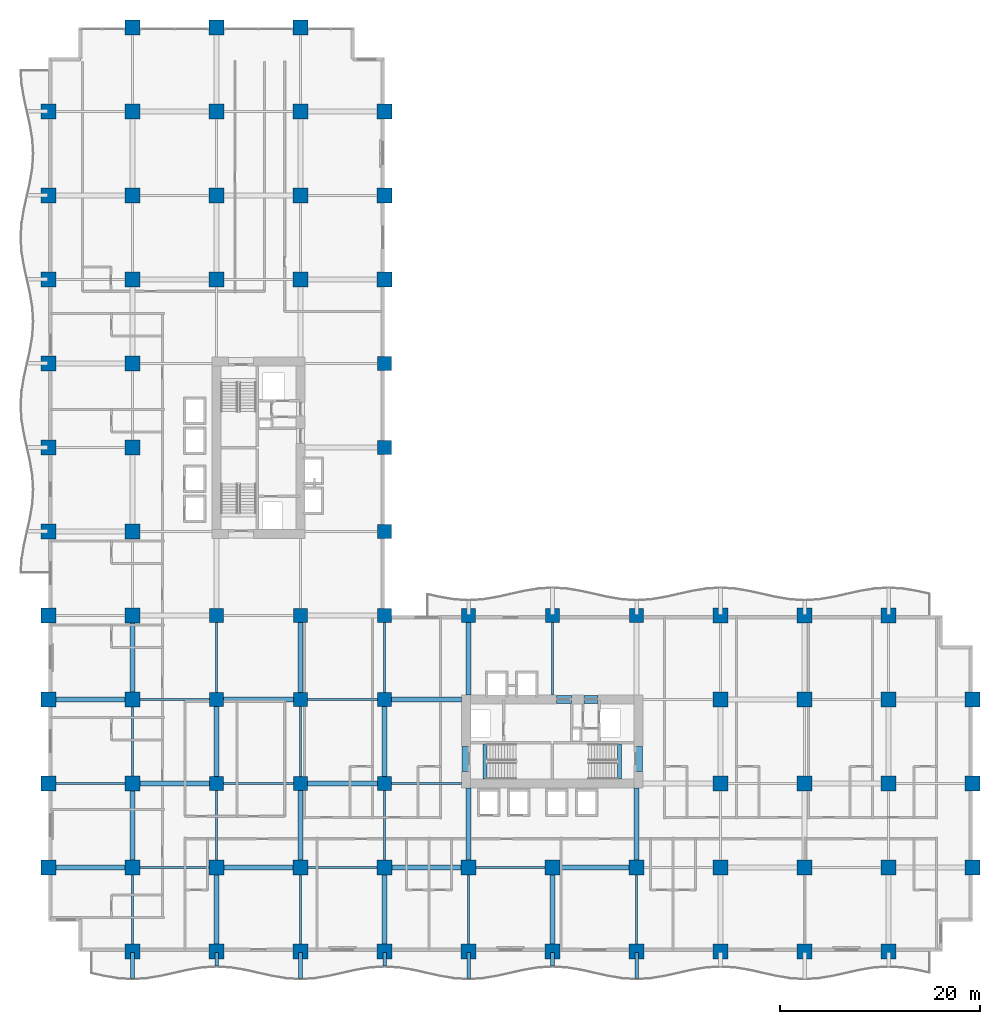
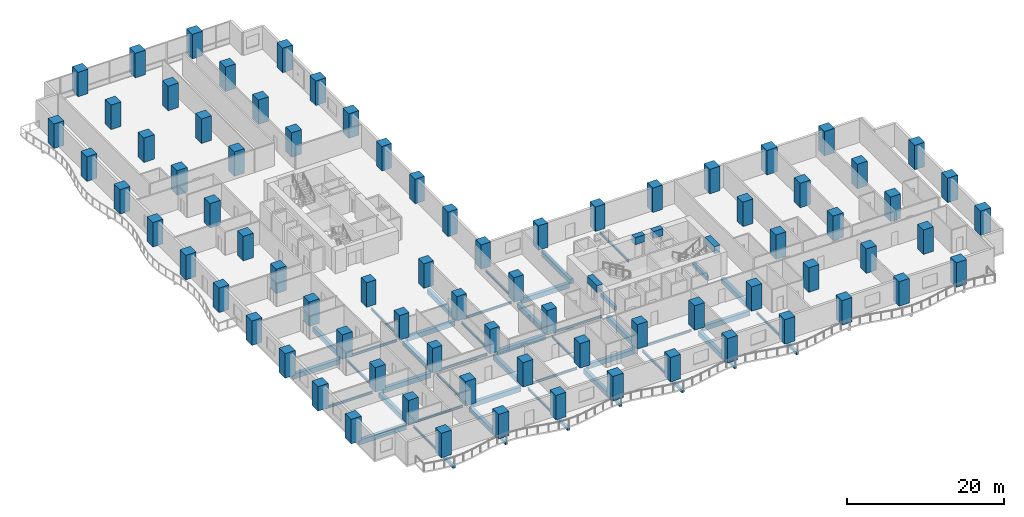
# One storey, part 1 of 24: 78 columns, 53 beams.
"""IFC4 building model written with IfcOpenShell, lengths in metres."""

from ifc_helpers import new_model, si_unit, direction, frame, origin, origin_2d, place, context, subcontext, project, spatial, rectangle, i_section, extrude, material, material_profile, profile_set, type_object, element, save


model = new_model("IFC4")

# Units and contexts
model_context = context("Model", 3, precision=1e-05, world=origin(), true_north=direction((0.0, 1.0)))
body_context = subcontext(model_context, "Body", "Model", "MODEL_VIEW")
ifc_project = project(units=[si_unit("LENGTHUNIT", "METRE"), si_unit("AREAUNIT", "SQUARE_METRE"), si_unit("VOLUMEUNIT", "CUBIC_METRE"), si_unit("PLANEANGLEUNIT", "RADIAN"), si_unit("MASSUNIT", "GRAM", prefix="KILO")], contexts=[model_context])

# Site, building, storey
site_placement = place(None, origin())
site = spatial("IfcSite", under=ifc_project, at=site_placement, CompositionType="ELEMENT")
building_placement = place(site_placement, origin())
building = spatial("IfcBuilding", under=site, at=building_placement, Name="Koriwani Terraces Tower", CompositionType="ELEMENT")
storey_placement = place(building_placement, frame((0.0, 0.0, 47.199951171875)))
storey = spatial("IfcBuildingStorey", under=building, at=storey_placement, Name="L10", CompositionType="ELEMENT", Elevation=47.199951171875)

# Columns
ifc_material_1 = material(Name="Concrete C60/75", Category="concrete")
ifc_material_profile_1 = material_profile(ifc_material_1, rectangle(XDim=1.39990234375, YDim=1.39990234375, at=origin_2d()), Name="Concrete C60/75", Category="LoadBearing")
ifc_profile_set_1 = profile_set([ifc_material_profile_1], Name="Concrete C60/75")
column_type_1 = type_object("IfcColumnType", Name="COL_RC_1400X1400", PredefinedType="COLUMN", material=ifc_profile_set_1)
for number, where, z_axis, x_axis, name in (
    (1, (16.800048828125, 16.800048828125, 0.0), (0.0, 0.0, 1.0), (1.0, 0.0, 0.0), "L10 Column 3/C"),
    (2, (16.800048828125, 25.199951171875, 0.0), (0.0, 0.0, 1.0), (1.0, 0.0, 0.0), "L10 Column 3/D"),
    (3, (16.800048828125, 33.60009765625, 0.0), (0.0, 0.0, 1.0), (1.0, 0.0, 0.0), "L10 Column 3/E"),
    (4, (25.199951171875, 16.800048828125, 0.0), (0.0, 0.0, 1.0), (1.0, 0.0, 0.0), "L10 Column 4/C"),
    (5, (25.199951171875, 25.199951171875, 0.0), (0.0, 0.0, 1.0), (1.0, 0.0, 0.0), "L10 Column 4/D"),
    (6, (25.199951171875, 33.60009765625, 0.0), (0.0, 0.0, 1.0), (1.0, 0.0, 0.0), "L10 Column 4/E"),
    (7, (33.60009765625, 16.800048828125, 0.0), (0.0, 0.0, 1.0), (1.0, 0.0, 0.0), "L10 Column 5/C"),
    (8, (33.60009765625, 25.199951171875, 0.0), (0.0, 0.0, 1.0), (1.0, 0.0, 0.0), "L10 Column 5/D"),
    (9, (33.60009765625, 33.60009765625, 0.0), (0.0, 0.0, 1.0), (1.0, 0.0, 0.0), "L10 Column 5/E"),
    (10, (33.60009765625, 42.0, 0.0), (0.0, 0.0, 1.0), (1.0, 0.0, 0.0), "L10 Column 5/F"),
    (11, (33.60009765625, 50.39990234375, 0.0), (0.0, 0.0, 1.0), (1.0, 0.0, 0.0), "L10 Column 5/G"),
    (12, (33.60009765625, 58.800048828125, 0.0), (0.0, 0.0, 1.0), (1.0, 0.0, 0.0), "L10 Column 5/H"),
    (13, (42.0, 33.60009765625, 0.0), (0.0, 0.0, 1.0), (1.0, 0.0, 0.0), "L10 Column 6/E"),
    (14, (50.39990234375, 33.60009765625, 0.0), (0.0, 0.0, 1.0), (1.0, 0.0, 0.0), "L10 Column 7/E"),
    (15, (58.800048828125, 33.60009765625, 0.0), (0.0, 0.0, 1.0), (1.0, 0.0, 0.0), "L10 Column 8/E"),
):
    element("IfcColumn", number, at=place(storey_placement, frame(where, z_axis=z_axis, x_axis=x_axis)), inside=storey, type_object=column_type_1, Name=name, PredefinedType="COLUMN", context=body_context, shape_type="SweptSolid", body=[
        extrude(rectangle(XDim=1.39990234375, YDim=1.39990234375, at=origin_2d()), origin(), (0.0, 0.0, 1.0), 3.800048828125),
    ])
ifc_material_profile_2 = material_profile(ifc_material_1, rectangle(XDim=1.5, YDim=1.5, at=origin_2d()), Name="Concrete C60/75", Category="LoadBearing")
ifc_profile_set_2 = profile_set([ifc_material_profile_2], Name="Concrete C60/75")
column_type_2 = type_object("IfcColumnType", Name="COL_RC_1500X1500", PredefinedType="COLUMN", material=ifc_profile_set_2)
for number, where, z_axis, x_axis, name in (
    (16, (0.0, 8.39990234375, 0.0), (0.0, 0.0, 1.0), (1.0, 0.0, 0.0), "L10 Column 1/B"),
    (17, (0.0, 16.800048828125, 0.0), (0.0, 0.0, 1.0), (1.0, 0.0, 0.0), "L10 Column 1/C"),
    (18, (0.0, 25.199951171875, 0.0), (0.0, 0.0, 1.0), (1.0, 0.0, 0.0), "L10 Column 1/D"),
    (19, (0.0, 33.60009765625, 0.0), (0.0, 0.0, 1.0), (1.0, 0.0, 0.0), "L10 Column 1/E"),
    (20, (0.0, 42.0, 0.0), (0.0, 0.0, 1.0), (1.0, 0.0, 0.0), "L10 Column 1/F"),
    (21, (0.0, 50.39990234375, 0.0), (0.0, 0.0, 1.0), (1.0, 0.0, 0.0), "L10 Column 1/G"),
    (22, (0.0, 58.800048828125, 0.0), (0.0, 0.0, 1.0), (1.0, 0.0, 0.0), "L10 Column 1/H"),
    (23, (0.0, 67.199951171875, 0.0), (0.0, 0.0, 1.0), (1.0, 0.0, 0.0), "L10 Column 1/I"),
    (24, (0.0, 75.60009765625, 0.0), (0.0, 0.0, 1.0), (1.0, 0.0, 0.0), "L10 Column 1/J"),
    (25, (0.0, 84.0, 0.0), (0.0, 0.0, 1.0), (1.0, 0.0, 0.0), "L10 Column 1/K"),
    (26, (8.39990234375, 0.0, 0.0), (0.0, 0.0, 1.0), (1.0, 0.0, 0.0), "L10 Column 2/A"),
    (27, (8.39990234375, 8.39990234375, 0.0), (0.0, 0.0, 1.0), (1.0, 0.0, 0.0), "L10 Column 2/B"),
    (28, (8.39990234375, 16.800048828125, 0.0), (0.0, 0.0, 1.0), (1.0, 0.0, 0.0), "L10 Column 2/C"),
    (29, (8.39990234375, 25.199951171875, 0.0), (0.0, 0.0, 1.0), (1.0, 0.0, 0.0), "L10 Column 2/D"),
    (30, (8.39990234375, 33.60009765625, 0.0), (0.0, 0.0, 1.0), (1.0, 0.0, 0.0), "L10 Column 2/E"),
    (31, (8.39990234375, 42.0, 0.0), (0.0, 0.0, 1.0), (1.0, 0.0, 0.0), "L10 Column 2/F"),
    (32, (8.39990234375, 50.39990234375, 0.0), (0.0, 0.0, 1.0), (1.0, 0.0, 0.0), "L10 Column 2/G"),
    (33, (8.39990234375, 58.800048828125, 0.0), (0.0, 0.0, 1.0), (1.0, 0.0, 0.0), "L10 Column 2/H"),
    (34, (8.39990234375, 67.199951171875, 0.0), (0.0, 0.0, 1.0), (1.0, 0.0, 0.0), "L10 Column 2/I"),
    (35, (8.39990234375, 75.60009765625, 0.0), (0.0, 0.0, 1.0), (1.0, 0.0, 0.0), "L10 Column 2/J"),
    (36, (8.39990234375, 84.0, 0.0), (0.0, 0.0, 1.0), (1.0, 0.0, 0.0), "L10 Column 2/K"),
    (37, (8.39990234375, 92.39990234375, 0.0), (0.0, 0.0, 1.0), (1.0, 0.0, 0.0), "L10 Column 2/L"),
    (38, (16.800048828125, 0.0, 0.0), (0.0, 0.0, 1.0), (1.0, 0.0, 0.0), "L10 Column 3/A"),
    (39, (16.800048828125, 8.39990234375, 0.0), (0.0, 0.0, 1.0), (1.0, 0.0, 0.0), "L10 Column 3/B"),
    (40, (16.800048828125, 67.199951171875, 0.0), (0.0, 0.0, 1.0), (1.0, 0.0, 0.0), "L10 Column 3/I"),
    (41, (16.800048828125, 75.60009765625, 0.0), (0.0, 0.0, 1.0), (1.0, 0.0, 0.0), "L10 Column 3/J"),
    (42, (16.800048828125, 84.0, 0.0), (0.0, 0.0, 1.0), (1.0, 0.0, 0.0), "L10 Column 3/K"),
    (43, (16.800048828125, 92.39990234375, 0.0), (0.0, 0.0, 1.0), (1.0, 0.0, 0.0), "L10 Column 3/L"),
    (44, (25.199951171875, 0.0, 0.0), (0.0, 0.0, 1.0), (1.0, 0.0, 0.0), "L10 Column 4/A"),
    (45, (25.199951171875, 8.39990234375, 0.0), (0.0, 0.0, 1.0), (1.0, 0.0, 0.0), "L10 Column 4/B"),
    (46, (25.199951171875, 67.199951171875, 0.0), (0.0, 0.0, 1.0), (1.0, 0.0, 0.0), "L10 Column 4/I"),
    (47, (25.199951171875, 75.60009765625, 0.0), (0.0, 0.0, 1.0), (1.0, 0.0, 0.0), "L10 Column 4/J"),
    (48, (25.199951171875, 84.0, 0.0), (0.0, 0.0, 1.0), (1.0, 0.0, 0.0), "L10 Column 4/K"),
    (49, (25.199951171875, 92.39990234375, 0.0), (0.0, 0.0, 1.0), (1.0, 0.0, 0.0), "L10 Column 4/L"),
    (50, (33.60009765625, 0.0, 0.0), (0.0, 0.0, 1.0), (1.0, 0.0, 0.0), "L10 Column 5/A"),
    (51, (33.60009765625, 8.39990234375, 0.0), (0.0, 0.0, 1.0), (1.0, 0.0, 0.0), "L10 Column 5/B"),
    (52, (33.60009765625, 67.199951171875, 0.0), (0.0, 0.0, 1.0), (1.0, 0.0, 0.0), "L10 Column 5/I"),
    (53, (33.60009765625, 75.60009765625, 0.0), (0.0, 0.0, 1.0), (1.0, 0.0, 0.0), "L10 Column 5/J"),
    (54, (33.60009765625, 84.0, 0.0), (0.0, 0.0, 1.0), (1.0, 0.0, 0.0), "L10 Column 5/K"),
    (55, (42.0, 0.0, 0.0), (0.0, 0.0, 1.0), (1.0, 0.0, 0.0), "L10 Column 6/A"),
    (56, (42.0, 8.39990234375, 0.0), (0.0, 0.0, 1.0), (1.0, 0.0, 0.0), "L10 Column 6/B"),
    (57, (50.39990234375, 0.0, 0.0), (0.0, 0.0, 1.0), (1.0, 0.0, 0.0), "L10 Column 7/A"),
    (58, (50.39990234375, 8.39990234375, 0.0), (0.0, 0.0, 1.0), (1.0, 0.0, 0.0), "L10 Column 7/B"),
    (59, (58.800048828125, 0.0, 0.0), (0.0, 0.0, 1.0), (1.0, 0.0, 0.0), "L10 Column 8/A"),
    (60, (58.800048828125, 8.39990234375, 0.0), (0.0, 0.0, 1.0), (1.0, 0.0, 0.0), "L10 Column 8/B"),
    (61, (67.199951171875, 0.0, 0.0), (0.0, 0.0, 1.0), (1.0, 0.0, 0.0), "L10 Column 9/A"),
    (62, (67.199951171875, 8.39990234375, 0.0), (0.0, 0.0, 1.0), (1.0, 0.0, 0.0), "L10 Column 9/B"),
    (63, (67.199951171875, 16.800048828125, 0.0), (0.0, 0.0, 1.0), (1.0, 0.0, 0.0), "L10 Column 9/C"),
    (64, (67.199951171875, 25.199951171875, 0.0), (0.0, 0.0, 1.0), (1.0, 0.0, 0.0), "L10 Column 9/D"),
    (65, (67.199951171875, 33.60009765625, 0.0), (0.0, 0.0, 1.0), (1.0, 0.0, 0.0), "L10 Column 9/E"),
    (66, (75.60009765625, 0.0, 0.0), (0.0, 0.0, 1.0), (1.0, 0.0, 0.0), "L10 Column 10/A"),
    (67, (75.60009765625, 8.39990234375, 0.0), (0.0, 0.0, 1.0), (1.0, 0.0, 0.0), "L10 Column 10/B"),
    (68, (75.60009765625, 16.800048828125, 0.0), (0.0, 0.0, 1.0), (1.0, 0.0, 0.0), "L10 Column 10/C"),
    (69, (75.60009765625, 25.199951171875, 0.0), (0.0, 0.0, 1.0), (1.0, 0.0, 0.0), "L10 Column 10/D"),
    (70, (75.60009765625, 33.60009765625, 0.0), (0.0, 0.0, 1.0), (1.0, 0.0, 0.0), "L10 Column 10/E"),
    (71, (84.0, 0.0, 0.0), (0.0, 0.0, 1.0), (1.0, 0.0, 0.0), "L10 Column 11/A"),
    (72, (84.0, 8.39990234375, 0.0), (0.0, 0.0, 1.0), (1.0, 0.0, 0.0), "L10 Column 11/B"),
    (73, (84.0, 16.800048828125, 0.0), (0.0, 0.0, 1.0), (1.0, 0.0, 0.0), "L10 Column 11/C"),
    (74, (84.0, 25.199951171875, 0.0), (0.0, 0.0, 1.0), (1.0, 0.0, 0.0), "L10 Column 11/D"),
    (75, (84.0, 33.60009765625, 0.0), (0.0, 0.0, 1.0), (1.0, 0.0, 0.0), "L10 Column 11/E"),
    (76, (92.39990234375, 8.39990234375, 0.0), (0.0, 0.0, 1.0), (1.0, 0.0, 0.0), "L10 Column 12/B"),
    (77, (92.39990234375, 16.800048828125, 0.0), (0.0, 0.0, 1.0), (1.0, 0.0, 0.0), "L10 Column 12/C"),
    (78, (92.39990234375, 25.199951171875, 0.0), (0.0, 0.0, 1.0), (1.0, 0.0, 0.0), "L10 Column 12/D"),
):
    element("IfcColumn", number, at=place(storey_placement, frame(where, z_axis=z_axis, x_axis=x_axis)), inside=storey, type_object=column_type_2, Name=name, PredefinedType="COLUMN", context=body_context, shape_type="SweptSolid", body=[
        extrude(rectangle(XDim=1.5, YDim=1.5, at=origin_2d()), origin(), (0.0, 0.0, 1.0), 3.800048828125),
    ])

# Beams
ifc_material_2 = material(Name="Concrete C40/50", Category="concrete")
ifc_material_profile_3 = material_profile(ifc_material_2, rectangle(XDim=0.35009765625, YDim=0.449951171875, at=origin_2d()), Name="Concrete C40/50", Category="LoadBearing")
ifc_profile_set_3 = profile_set([ifc_material_profile_3], Name="Concrete C40/50")
beam_type_1 = type_object("IfcBeamType", Name="BEAM_RC_BALCONY_RIB_350X450", PredefinedType="JOIST", material=ifc_profile_set_3)
beam_1_placement = place(storey_placement, frame((8.39990234375, -2.699951171875, -0.474853515625), z_axis=(0.0, 1.0, 0.0), x_axis=(-1.0, 0.0, 0.0)))
element("IfcBeam", 79, at=beam_1_placement, inside=storey, type_object=beam_type_1, Name="L10 Balcony Bracket Rib S-1", PredefinedType="JOIST", context=body_context, shape_type="SweptSolid", body=[
    extrude(rectangle(XDim=0.35009765625, YDim=0.449951171875, at=origin_2d()), origin(), (0.0, 0.0, 1.0), 2.599853515625),
])
beam_2_placement = place(storey_placement, frame((16.800048828125, -1.449951171875, -0.474853515625), z_axis=(0.0, 1.0, 0.0), x_axis=(-1.0, 0.0, 0.0)))
element("IfcBeam", 80, at=beam_2_placement, inside=storey, type_object=beam_type_1, Name="L10 Balcony Bracket Rib S-2", PredefinedType="JOIST", context=body_context, shape_type="SweptSolid", body=[
    extrude(rectangle(XDim=0.35009765625, YDim=0.449951171875, at=origin_2d()), origin(), (0.0, 0.0, 1.0), 1.349853515625),
])
beam_3_placement = place(storey_placement, frame((25.199951171875, -2.699951171875, -0.474853515625), z_axis=(0.0, 1.0, 0.0), x_axis=(-1.0, 0.0, 0.0)))
element("IfcBeam", 81, at=beam_3_placement, inside=storey, type_object=beam_type_1, Name="L10 Balcony Bracket Rib S-3", PredefinedType="JOIST", context=body_context, shape_type="SweptSolid", body=[
    extrude(rectangle(XDim=0.35009765625, YDim=0.449951171875, at=origin_2d()), origin(), (0.0, 0.0, 1.0), 2.599853515625),
])
beam_4_placement = place(storey_placement, frame((33.60009765625, -1.449951171875, -0.474853515625), z_axis=(0.0, 1.0, 0.0), x_axis=(-1.0, 0.0, 0.0)))
element("IfcBeam", 82, at=beam_4_placement, inside=storey, type_object=beam_type_1, Name="L10 Balcony Bracket Rib S-4", PredefinedType="JOIST", context=body_context, shape_type="SweptSolid", body=[
    extrude(rectangle(XDim=0.35009765625, YDim=0.449951171875, at=origin_2d()), origin(), (0.0, 0.0, 1.0), 1.349853515625),
])
beam_5_placement = place(storey_placement, frame((42.0, -2.699951171875, -0.474853515625), z_axis=(0.0, 1.0, 0.0), x_axis=(-1.0, 0.0, 0.0)))
element("IfcBeam", 83, at=beam_5_placement, inside=storey, type_object=beam_type_1, Name="L10 Balcony Bracket Rib S-5", PredefinedType="JOIST", context=body_context, shape_type="SweptSolid", body=[
    extrude(rectangle(XDim=0.35009765625, YDim=0.449951171875, at=origin_2d()), origin(), (0.0, 0.0, 1.0), 2.599853515625),
])
beam_6_placement = place(storey_placement, frame((50.39990234375, -1.449951171875, -0.474853515625), z_axis=(0.0, 1.0, 0.0), x_axis=(-1.0, 0.0, 0.0)))
element("IfcBeam", 84, at=beam_6_placement, inside=storey, type_object=beam_type_1, Name="L10 Balcony Bracket Rib S-6", PredefinedType="JOIST", context=body_context, shape_type="SweptSolid", body=[
    extrude(rectangle(XDim=0.35009765625, YDim=0.449951171875, at=origin_2d()), origin(), (0.0, 0.0, 1.0), 1.349853515625),
])
beam_7_placement = place(storey_placement, frame((58.800048828125, -2.699951171875, -0.474853515625), z_axis=(0.0, 1.0, 0.0), x_axis=(-1.0, 0.0, 0.0)))
element("IfcBeam", 85, at=beam_7_placement, inside=storey, type_object=beam_type_1, Name="L10 Balcony Bracket Rib S-7", PredefinedType="JOIST", context=body_context, shape_type="SweptSolid", body=[
    extrude(rectangle(XDim=0.35009765625, YDim=0.449951171875, at=origin_2d()), origin(), (0.0, 0.0, 1.0), 2.599853515625),
])
ifc_material_profile_4 = material_profile(ifc_material_1, rectangle(XDim=0.800048828125, YDim=1.10009765625, at=origin_2d()), Name="Concrete C60/75", Category="LoadBearing")
ifc_profile_set_4 = profile_set([ifc_material_profile_4], Name="Concrete C60/75")
beam_type_2 = type_object("IfcBeamType", Name="BEAM_RC_COUPLING_800X1100", PredefinedType="LINTEL", material=ifc_profile_set_4)
beam_8_placement = place(storey_placement, frame((50.800048828125, 25.199951171875, 3.0), z_axis=(1.0, 0.0, 0.0), x_axis=(0.0, 1.0, 0.0)))
element("IfcBeam", 86, at=beam_8_placement, inside=storey, type_object=beam_type_2, Name="L10 Core Coupling Lintel Beam EN1", PredefinedType="LINTEL", context=body_context, shape_type="SweptSolid", body=[
    extrude(rectangle(XDim=0.800048828125, YDim=1.10009765625, at=origin_2d()), origin(), (0.0, 0.0, 1.0), 1.47998046875),
])
beam_9_placement = place(storey_placement, frame((53.550048828125, 25.199951171875, 3.0), z_axis=(1.0, 0.0, 0.0), x_axis=(0.0, 1.0, 0.0)))
element("IfcBeam", 87, at=beam_9_placement, inside=storey, type_object=beam_type_2, Name="L10 Core Coupling Lintel Beam EN2", PredefinedType="LINTEL", context=body_context, shape_type="SweptSolid", body=[
    extrude(rectangle(XDim=0.800048828125, YDim=1.10009765625, at=origin_2d()), origin(), (0.0, 0.0, 1.0), 1.39990234375),
])
for number, where, z_axis, x_axis, name in (
    (88, (41.75, 18.0, 3.0), (0.0, 1.0, 0.0), (-1.0, 0.0, 0.0), "L10 Core Coupling Lintel Beam EW"),
    (89, (59.0, 18.0, 3.0), (0.0, 1.0, 0.0), (-1.0, 0.0, 0.0), "L10 Core Coupling Lintel Beam EE"),
):
    element("IfcBeam", number, at=place(storey_placement, frame(where, z_axis=z_axis, x_axis=x_axis)), inside=storey, type_object=beam_type_2, Name=name, PredefinedType="LINTEL", context=body_context, shape_type="SweptSolid", body=[
        extrude(rectangle(XDim=0.800048828125, YDim=1.10009765625, at=origin_2d()), origin(), (0.0, 0.0, 1.0), 2.5),
    ])
ifc_material_profile_5 = material_profile(ifc_material_2, rectangle(XDim=0.39990234375, YDim=0.60009765625, at=origin_2d()), Name="Concrete C40/50", Category="LoadBearing")
ifc_profile_set_5 = profile_set([ifc_material_profile_5], Name="Concrete C40/50")
beam_type_3 = type_object("IfcBeamType", Name="BEAM_RC_GRID_400X600", PredefinedType="BEAM", material=ifc_profile_set_5)
for number, where, z_axis, x_axis, name in (
    (90, (43.655029296875, 17.25, -0.300048828125), (0.0, 1.0, 0.0), (-1.0, 0.0, 0.0), "L10 Stairwell Header Trimmer Beam ST-E1"),
    (91, (57.094970703125, 17.25, -0.300048828125), (0.0, 1.0, 0.0), (-1.0, 0.0, 0.0), "L10 Stairwell Header Trimmer Beam ST-E2"),
):
    element("IfcBeam", number, at=place(storey_placement, frame(where, z_axis=z_axis, x_axis=x_axis)), inside=storey, type_object=beam_type_3, Name=name, PredefinedType="BEAM", context=body_context, shape_type="SweptSolid", body=[
        extrude(rectangle(XDim=0.39990234375, YDim=0.60009765625, at=origin_2d()), origin(), (0.0, 0.0, 1.0), 3.5),
    ])
ifc_material_3 = material(Name="Concrete C50/60", Category="concrete")
ifc_material_profile_6 = material_profile(ifc_material_3, rectangle(XDim=0.5, YDim=0.75, at=origin_2d()), Name="Concrete C50/60", Category="LoadBearing")
ifc_profile_set_6 = profile_set([ifc_material_profile_6], Name="Concrete C50/60")
beam_type_4 = type_object("IfcBeamType", Name="BEAM_RC_GRID_500X750", PredefinedType="BEAM", material=ifc_profile_set_6)
for number, where, z_axis, x_axis, name in (
    (92, (0.72998046875, 8.39990234375, -0.625), (1.0, 0.0, 0.0), (0.0, 1.0, 0.0), "L10 Grid Beam B (0.0-8.4m)"),
    (93, (17.530029296875, 8.39990234375, -0.625), (1.0, 0.0, 0.0), (0.0, 1.0, 0.0), "L10 Grid Beam B (16.8-25.2m)"),
    (94, (34.330078125, 8.39990234375, -0.625), (1.0, 0.0, 0.0), (0.0, 1.0, 0.0), "L10 Grid Beam B (33.6-42.0m)"),
):
    element("IfcBeam", number, at=place(storey_placement, frame(where, z_axis=z_axis, x_axis=x_axis)), inside=storey, type_object=beam_type_4, Name=name, PredefinedType="BEAM", context=body_context, shape_type="SweptSolid", body=[
        extrude(rectangle(XDim=0.5, YDim=0.75, at=origin_2d()), origin(), (0.0, 0.0, 1.0), 6.93994140625),
    ])
beam_10_placement = place(storey_placement, frame((51.1298828125, 8.39990234375, -0.625), z_axis=(1.0, 0.0, 0.0), x_axis=(0.0, 1.0, 0.0)))
element("IfcBeam", 95, at=beam_10_placement, inside=storey, type_object=beam_type_4, Name="L10 Grid Beam B (50.4-58.8m)", PredefinedType="BEAM", context=body_context, shape_type="SweptSolid", body=[
    extrude(rectangle(XDim=0.5, YDim=0.75, at=origin_2d()), origin(), (0.0, 0.0, 1.0), 6.940185546875),
])
beam_11_placement = place(storey_placement, frame((9.1298828125, 16.800048828125, -0.625), z_axis=(1.0, 0.0, 0.0), x_axis=(0.0, 1.0, 0.0)))
element("IfcBeam", 96, at=beam_11_placement, inside=storey, type_object=beam_type_4, Name="L10 Grid Beam C (8.4-16.8m)", PredefinedType="BEAM", context=body_context, shape_type="SweptSolid", body=[
    extrude(rectangle(XDim=0.5, YDim=0.75, at=origin_2d()), origin(), (0.0, 0.0, 1.0), 6.990234375),
])
beam_12_placement = place(storey_placement, frame((25.8798828125, 16.800048828125, -0.625), z_axis=(1.0, 0.0, 0.0), x_axis=(0.0, 1.0, 0.0)))
element("IfcBeam", 97, at=beam_12_placement, inside=storey, type_object=beam_type_4, Name="L10 Grid Beam C (25.2-33.6m)", PredefinedType="BEAM", context=body_context, shape_type="SweptSolid", body=[
    extrude(rectangle(XDim=0.5, YDim=0.75, at=origin_2d()), origin(), (0.0, 0.0, 1.0), 7.0400390625),
])
beam_13_placement = place(storey_placement, frame((0.72998046875, 25.199951171875, -0.625), z_axis=(1.0, 0.0, 0.0), x_axis=(0.0, 1.0, 0.0)))
element("IfcBeam", 98, at=beam_13_placement, inside=storey, type_object=beam_type_4, Name="L10 Grid Beam D (0.0-8.4m)", PredefinedType="BEAM", context=body_context, shape_type="SweptSolid", body=[
    extrude(rectangle(XDim=0.5, YDim=0.75, at=origin_2d()), origin(), (0.0, 0.0, 1.0), 6.93994140625),
])
for number, where, z_axis, x_axis, name in (
    (99, (17.47998046875, 25.199951171875, -0.625), (1.0, 0.0, 0.0), (0.0, 1.0, 0.0), "L10 Grid Beam D (16.8-25.2m)"),
    (100, (34.280029296875, 25.199951171875, -0.625), (1.0, 0.0, 0.0), (0.0, 1.0, 0.0), "L10 Grid Beam D (33.6-42.0m)"),
):
    element("IfcBeam", number, at=place(storey_placement, frame(where, z_axis=z_axis, x_axis=x_axis)), inside=storey, type_object=beam_type_4, Name=name, PredefinedType="BEAM", context=body_context, shape_type="SweptSolid", body=[
        extrude(rectangle(XDim=0.5, YDim=0.75, at=origin_2d()), origin(), (0.0, 0.0, 1.0), 7.0400390625),
    ])
for number, where, z_axis, x_axis, name in (
    (101, (8.39990234375, 9.1298828125, -0.625), (0.0, 1.0, 0.0), (-1.0, 0.0, 0.0), "L10 Grid Beam 2 (8.4-16.8m)"),
    (102, (8.39990234375, 25.929931640625, -0.625), (0.0, 1.0, 0.0), (-1.0, 0.0, 0.0), "L10 Grid Beam 2 (25.2-33.6m)"),
):
    element("IfcBeam", number, at=place(storey_placement, frame(where, z_axis=z_axis, x_axis=x_axis)), inside=storey, type_object=beam_type_4, Name=name, PredefinedType="BEAM", context=body_context, shape_type="SweptSolid", body=[
        extrude(rectangle(XDim=0.5, YDim=0.75, at=origin_2d()), origin(), (0.0, 0.0, 1.0), 6.940185546875),
    ])
beam_14_placement = place(storey_placement, frame((16.800048828125, 0.72998046875, -0.625), z_axis=(0.0, 1.0, 0.0), x_axis=(-1.0, 0.0, 0.0)))
element("IfcBeam", 103, at=beam_14_placement, inside=storey, type_object=beam_type_4, Name="L10 Grid Beam 3 (0.0-8.4m)", PredefinedType="BEAM", context=body_context, shape_type="SweptSolid", body=[
    extrude(rectangle(XDim=0.5, YDim=0.75, at=origin_2d()), origin(), (0.0, 0.0, 1.0), 6.93994140625),
])
beam_15_placement = place(storey_placement, frame((16.800048828125, 17.47998046875, -0.625), z_axis=(0.0, 1.0, 0.0), x_axis=(-1.0, 0.0, 0.0)))
element("IfcBeam", 104, at=beam_15_placement, inside=storey, type_object=beam_type_4, Name="L10 Grid Beam 3 (16.8-25.2m)", PredefinedType="BEAM", context=body_context, shape_type="SweptSolid", body=[
    extrude(rectangle(XDim=0.5, YDim=0.75, at=origin_2d()), origin(), (0.0, 0.0, 1.0), 7.0400390625),
])
beam_16_placement = place(storey_placement, frame((25.199951171875, 9.1298828125, -0.625), z_axis=(0.0, 1.0, 0.0), x_axis=(-1.0, 0.0, 0.0)))
element("IfcBeam", 105, at=beam_16_placement, inside=storey, type_object=beam_type_4, Name="L10 Grid Beam 4 (8.4-16.8m)", PredefinedType="BEAM", context=body_context, shape_type="SweptSolid", body=[
    extrude(rectangle(XDim=0.5, YDim=0.75, at=origin_2d()), origin(), (0.0, 0.0, 1.0), 6.990234375),
])
beam_17_placement = place(storey_placement, frame((25.199951171875, 25.8798828125, -0.625), z_axis=(0.0, 1.0, 0.0), x_axis=(-1.0, 0.0, 0.0)))
element("IfcBeam", 106, at=beam_17_placement, inside=storey, type_object=beam_type_4, Name="L10 Grid Beam 4 (25.2-33.6m)", PredefinedType="BEAM", context=body_context, shape_type="SweptSolid", body=[
    extrude(rectangle(XDim=0.5, YDim=0.75, at=origin_2d()), origin(), (0.0, 0.0, 1.0), 7.0400390625),
])
beam_18_placement = place(storey_placement, frame((33.60009765625, 0.72998046875, -0.625), z_axis=(0.0, 1.0, 0.0), x_axis=(-1.0, 0.0, 0.0)))
element("IfcBeam", 107, at=beam_18_placement, inside=storey, type_object=beam_type_4, Name="L10 Grid Beam 5 (0.0-8.4m)", PredefinedType="BEAM", context=body_context, shape_type="SweptSolid", body=[
    extrude(rectangle(XDim=0.5, YDim=0.75, at=origin_2d()), origin(), (0.0, 0.0, 1.0), 6.93994140625),
])
beam_19_placement = place(storey_placement, frame((33.60009765625, 17.47998046875, -0.625), z_axis=(0.0, 1.0, 0.0), x_axis=(-1.0, 0.0, 0.0)))
element("IfcBeam", 108, at=beam_19_placement, inside=storey, type_object=beam_type_4, Name="L10 Grid Beam 5 (16.8-25.2m)", PredefinedType="BEAM", context=body_context, shape_type="SweptSolid", body=[
    extrude(rectangle(XDim=0.5, YDim=0.75, at=origin_2d()), origin(), (0.0, 0.0, 1.0), 7.0400390625),
])
beam_20_placement = place(storey_placement, frame((42.0, 9.1298828125, -0.625), z_axis=(0.0, 1.0, 0.0), x_axis=(-1.0, 0.0, 0.0)))
element("IfcBeam", 109, at=beam_20_placement, inside=storey, type_object=beam_type_4, Name="L10 Grid Beam 6 (8.4-16.8m)", PredefinedType="BEAM", context=body_context, shape_type="SweptSolid", body=[
    extrude(rectangle(XDim=0.5, YDim=0.75, at=origin_2d()), origin(), (0.0, 0.0, 1.0), 7.240234375),
])
beam_21_placement = place(storey_placement, frame((42.0, 25.6298828125, -0.625), z_axis=(0.0, 1.0, 0.0), x_axis=(-1.0, 0.0, 0.0)))
element("IfcBeam", 110, at=beam_21_placement, inside=storey, type_object=beam_type_4, Name="L10 Grid Beam 6 (25.2-33.6m)", PredefinedType="BEAM", context=body_context, shape_type="SweptSolid", body=[
    extrude(rectangle(XDim=0.5, YDim=0.75, at=origin_2d()), origin(), (0.0, 0.0, 1.0), 7.2900390625),
])
beam_22_placement = place(storey_placement, frame((50.39990234375, 0.72998046875, -0.625), z_axis=(0.0, 1.0, 0.0), x_axis=(-1.0, 0.0, 0.0)))
element("IfcBeam", 111, at=beam_22_placement, inside=storey, type_object=beam_type_4, Name="L10 Grid Beam 7 (0.0-8.4m)", PredefinedType="BEAM", context=body_context, shape_type="SweptSolid", body=[
    extrude(rectangle(XDim=0.5, YDim=0.75, at=origin_2d()), origin(), (0.0, 0.0, 1.0), 6.93994140625),
])
beam_23_placement = place(storey_placement, frame((58.800048828125, 9.1298828125, -0.625), z_axis=(0.0, 1.0, 0.0), x_axis=(-1.0, 0.0, 0.0)))
element("IfcBeam", 112, at=beam_23_placement, inside=storey, type_object=beam_type_4, Name="L10 Grid Beam 8 (8.4-16.8m)", PredefinedType="BEAM", context=body_context, shape_type="SweptSolid", body=[
    extrude(rectangle(XDim=0.5, YDim=0.75, at=origin_2d()), origin(), (0.0, 0.0, 1.0), 7.240234375),
])
ifc_material_4 = material(Name="Steel ASTM A572 Grade 50", Category="steel")
ifc_material_profile_7 = material_profile(ifc_material_4, i_section(OverallWidth=0.205078125, OverallDepth=0.35400390625, WebThickness=0.009521484375, FlangeThickness=0.016845703125, at=origin_2d()), Name="Steel ASTM A572 Grade 50", Category="LoadBearing")
ifc_profile_set_7 = profile_set([ifc_material_profile_7], Name="Steel ASTM A572 Grade 50")
beam_type_5 = type_object("IfcBeamType", Name="STEEL_BEAM_W360X79", PredefinedType="JOIST", material=ifc_profile_set_7)
for number, where, z_axis, x_axis, name in (
    (113, (9.1298828125, 8.39990234375, -0.427001953125), (1.0, 0.0, 0.0), (0.0, 1.0, 0.0), "L10 Grid Beam B (8.4-16.8m)"),
    (114, (25.929931640625, 8.39990234375, -0.427001953125), (1.0, 0.0, 0.0), (0.0, 1.0, 0.0), "L10 Grid Beam B (25.2-33.6m)"),
):
    element("IfcBeam", number, at=place(storey_placement, frame(where, z_axis=z_axis, x_axis=x_axis)), inside=storey, type_object=beam_type_5, Name=name, PredefinedType="JOIST", context=body_context, shape_type="SweptSolid", body=[
        extrude(i_section(OverallWidth=0.205078125, OverallDepth=0.35400390625, WebThickness=0.009521484375, FlangeThickness=0.016845703125, at=origin_2d()), origin(), (0.0, 0.0, 1.0), 6.940185546875),
    ])
for number, where, z_axis, x_axis, name in (
    (115, (42.72998046875, 8.39990234375, -0.427001953125), (1.0, 0.0, 0.0), (0.0, 1.0, 0.0), "L10 Grid Beam B (42.0-50.4m)"),
    (116, (0.72998046875, 16.800048828125, -0.427001953125), (1.0, 0.0, 0.0), (0.0, 1.0, 0.0), "L10 Grid Beam C (0.0-8.4m)"),
):
    element("IfcBeam", number, at=place(storey_placement, frame(where, z_axis=z_axis, x_axis=x_axis)), inside=storey, type_object=beam_type_5, Name=name, PredefinedType="JOIST", context=body_context, shape_type="SweptSolid", body=[
        extrude(i_section(OverallWidth=0.205078125, OverallDepth=0.35400390625, WebThickness=0.009521484375, FlangeThickness=0.016845703125, at=origin_2d()), origin(), (0.0, 0.0, 1.0), 6.93994140625),
    ])
for number, where, z_axis, x_axis, name in (
    (117, (17.47998046875, 16.800048828125, -0.427001953125), (1.0, 0.0, 0.0), (0.0, 1.0, 0.0), "L10 Grid Beam C (16.8-25.2m)"),
    (118, (34.280029296875, 16.800048828125, -0.427001953125), (1.0, 0.0, 0.0), (0.0, 1.0, 0.0), "L10 Grid Beam C (33.6-42.0m)"),
):
    element("IfcBeam", number, at=place(storey_placement, frame(where, z_axis=z_axis, x_axis=x_axis)), inside=storey, type_object=beam_type_5, Name=name, PredefinedType="JOIST", context=body_context, shape_type="SweptSolid", body=[
        extrude(i_section(OverallWidth=0.205078125, OverallDepth=0.35400390625, WebThickness=0.009521484375, FlangeThickness=0.016845703125, at=origin_2d()), origin(), (0.0, 0.0, 1.0), 7.0400390625),
    ])
beam_24_placement = place(storey_placement, frame((9.1298828125, 25.199951171875, -0.427001953125), z_axis=(1.0, 0.0, 0.0), x_axis=(0.0, 1.0, 0.0)))
element("IfcBeam", 119, at=beam_24_placement, inside=storey, type_object=beam_type_5, Name="L10 Grid Beam D (8.4-16.8m)", PredefinedType="JOIST", context=body_context, shape_type="SweptSolid", body=[
    extrude(i_section(OverallWidth=0.205078125, OverallDepth=0.35400390625, WebThickness=0.009521484375, FlangeThickness=0.016845703125, at=origin_2d()), origin(), (0.0, 0.0, 1.0), 6.990234375),
])
beam_25_placement = place(storey_placement, frame((25.8798828125, 25.199951171875, -0.427001953125), z_axis=(1.0, 0.0, 0.0), x_axis=(0.0, 1.0, 0.0)))
element("IfcBeam", 120, at=beam_25_placement, inside=storey, type_object=beam_type_5, Name="L10 Grid Beam D (25.2-33.6m)", PredefinedType="JOIST", context=body_context, shape_type="SweptSolid", body=[
    extrude(i_section(OverallWidth=0.205078125, OverallDepth=0.35400390625, WebThickness=0.009521484375, FlangeThickness=0.016845703125, at=origin_2d()), origin(), (0.0, 0.0, 1.0), 7.0400390625),
])
for number, where, z_axis, x_axis, name in (
    (121, (8.39990234375, 0.72998046875, -0.427001953125), (0.0, 1.0, 0.0), (-1.0, 0.0, 0.0), "L10 Grid Beam 2 (0.0-8.4m)"),
    (122, (8.39990234375, 17.530029296875, -0.427001953125), (0.0, 1.0, 0.0), (-1.0, 0.0, 0.0), "L10 Grid Beam 2 (16.8-25.2m)"),
):
    element("IfcBeam", number, at=place(storey_placement, frame(where, z_axis=z_axis, x_axis=x_axis)), inside=storey, type_object=beam_type_5, Name=name, PredefinedType="JOIST", context=body_context, shape_type="SweptSolid", body=[
        extrude(i_section(OverallWidth=0.205078125, OverallDepth=0.35400390625, WebThickness=0.009521484375, FlangeThickness=0.016845703125, at=origin_2d()), origin(), (0.0, 0.0, 1.0), 6.93994140625),
    ])
beam_26_placement = place(storey_placement, frame((16.800048828125, 9.1298828125, -0.427001953125), z_axis=(0.0, 1.0, 0.0), x_axis=(-1.0, 0.0, 0.0)))
element("IfcBeam", 123, at=beam_26_placement, inside=storey, type_object=beam_type_5, Name="L10 Grid Beam 3 (8.4-16.8m)", PredefinedType="JOIST", context=body_context, shape_type="SweptSolid", body=[
    extrude(i_section(OverallWidth=0.205078125, OverallDepth=0.35400390625, WebThickness=0.009521484375, FlangeThickness=0.016845703125, at=origin_2d()), origin(), (0.0, 0.0, 1.0), 6.990234375),
])
beam_27_placement = place(storey_placement, frame((16.800048828125, 25.8798828125, -0.427001953125), z_axis=(0.0, 1.0, 0.0), x_axis=(-1.0, 0.0, 0.0)))
element("IfcBeam", 124, at=beam_27_placement, inside=storey, type_object=beam_type_5, Name="L10 Grid Beam 3 (25.2-33.6m)", PredefinedType="JOIST", context=body_context, shape_type="SweptSolid", body=[
    extrude(i_section(OverallWidth=0.205078125, OverallDepth=0.35400390625, WebThickness=0.009521484375, FlangeThickness=0.016845703125, at=origin_2d()), origin(), (0.0, 0.0, 1.0), 7.0400390625),
])
beam_28_placement = place(storey_placement, frame((25.199951171875, 0.72998046875, -0.427001953125), z_axis=(0.0, 1.0, 0.0), x_axis=(-1.0, 0.0, 0.0)))
element("IfcBeam", 125, at=beam_28_placement, inside=storey, type_object=beam_type_5, Name="L10 Grid Beam 4 (0.0-8.4m)", PredefinedType="JOIST", context=body_context, shape_type="SweptSolid", body=[
    extrude(i_section(OverallWidth=0.205078125, OverallDepth=0.35400390625, WebThickness=0.009521484375, FlangeThickness=0.016845703125, at=origin_2d()), origin(), (0.0, 0.0, 1.0), 6.93994140625),
])
beam_29_placement = place(storey_placement, frame((25.199951171875, 17.47998046875, -0.427001953125), z_axis=(0.0, 1.0, 0.0), x_axis=(-1.0, 0.0, 0.0)))
element("IfcBeam", 126, at=beam_29_placement, inside=storey, type_object=beam_type_5, Name="L10 Grid Beam 4 (16.8-25.2m)", PredefinedType="JOIST", context=body_context, shape_type="SweptSolid", body=[
    extrude(i_section(OverallWidth=0.205078125, OverallDepth=0.35400390625, WebThickness=0.009521484375, FlangeThickness=0.016845703125, at=origin_2d()), origin(), (0.0, 0.0, 1.0), 7.0400390625),
])
beam_30_placement = place(storey_placement, frame((33.60009765625, 9.1298828125, -0.427001953125), z_axis=(0.0, 1.0, 0.0), x_axis=(-1.0, 0.0, 0.0)))
element("IfcBeam", 127, at=beam_30_placement, inside=storey, type_object=beam_type_5, Name="L10 Grid Beam 5 (8.4-16.8m)", PredefinedType="JOIST", context=body_context, shape_type="SweptSolid", body=[
    extrude(i_section(OverallWidth=0.205078125, OverallDepth=0.35400390625, WebThickness=0.009521484375, FlangeThickness=0.016845703125, at=origin_2d()), origin(), (0.0, 0.0, 1.0), 6.990234375),
])
beam_31_placement = place(storey_placement, frame((33.60009765625, 25.8798828125, -0.427001953125), z_axis=(0.0, 1.0, 0.0), x_axis=(-1.0, 0.0, 0.0)))
element("IfcBeam", 128, at=beam_31_placement, inside=storey, type_object=beam_type_5, Name="L10 Grid Beam 5 (25.2-33.6m)", PredefinedType="JOIST", context=body_context, shape_type="SweptSolid", body=[
    extrude(i_section(OverallWidth=0.205078125, OverallDepth=0.35400390625, WebThickness=0.009521484375, FlangeThickness=0.016845703125, at=origin_2d()), origin(), (0.0, 0.0, 1.0), 7.0400390625),
])
beam_32_placement = place(storey_placement, frame((42.0, 0.72998046875, -0.427001953125), z_axis=(0.0, 1.0, 0.0), x_axis=(-1.0, 0.0, 0.0)))
element("IfcBeam", 129, at=beam_32_placement, inside=storey, type_object=beam_type_5, Name="L10 Grid Beam 6 (0.0-8.4m)", PredefinedType="JOIST", context=body_context, shape_type="SweptSolid", body=[
    extrude(i_section(OverallWidth=0.205078125, OverallDepth=0.35400390625, WebThickness=0.009521484375, FlangeThickness=0.016845703125, at=origin_2d()), origin(), (0.0, 0.0, 1.0), 6.93994140625),
])
beam_33_placement = place(storey_placement, frame((50.39990234375, 25.6298828125, -0.427001953125), z_axis=(0.0, 1.0, 0.0), x_axis=(-1.0, 0.0, 0.0)))
element("IfcBeam", 130, at=beam_33_placement, inside=storey, type_object=beam_type_5, Name="L10 Grid Beam 7 (25.2-33.6m)", PredefinedType="JOIST", context=body_context, shape_type="SweptSolid", body=[
    extrude(i_section(OverallWidth=0.205078125, OverallDepth=0.35400390625, WebThickness=0.009521484375, FlangeThickness=0.016845703125, at=origin_2d()), origin(), (0.0, 0.0, 1.0), 7.2900390625),
])
beam_34_placement = place(storey_placement, frame((58.800048828125, 0.72998046875, -0.427001953125), z_axis=(0.0, 1.0, 0.0), x_axis=(-1.0, 0.0, 0.0)))
element("IfcBeam", 131, at=beam_34_placement, inside=storey, type_object=beam_type_5, Name="L10 Grid Beam 8 (0.0-8.4m)", PredefinedType="JOIST", context=body_context, shape_type="SweptSolid", body=[
    extrude(i_section(OverallWidth=0.205078125, OverallDepth=0.35400390625, WebThickness=0.009521484375, FlangeThickness=0.016845703125, at=origin_2d()), origin(), (0.0, 0.0, 1.0), 6.93994140625),
])

save(model, "model.ifc")
